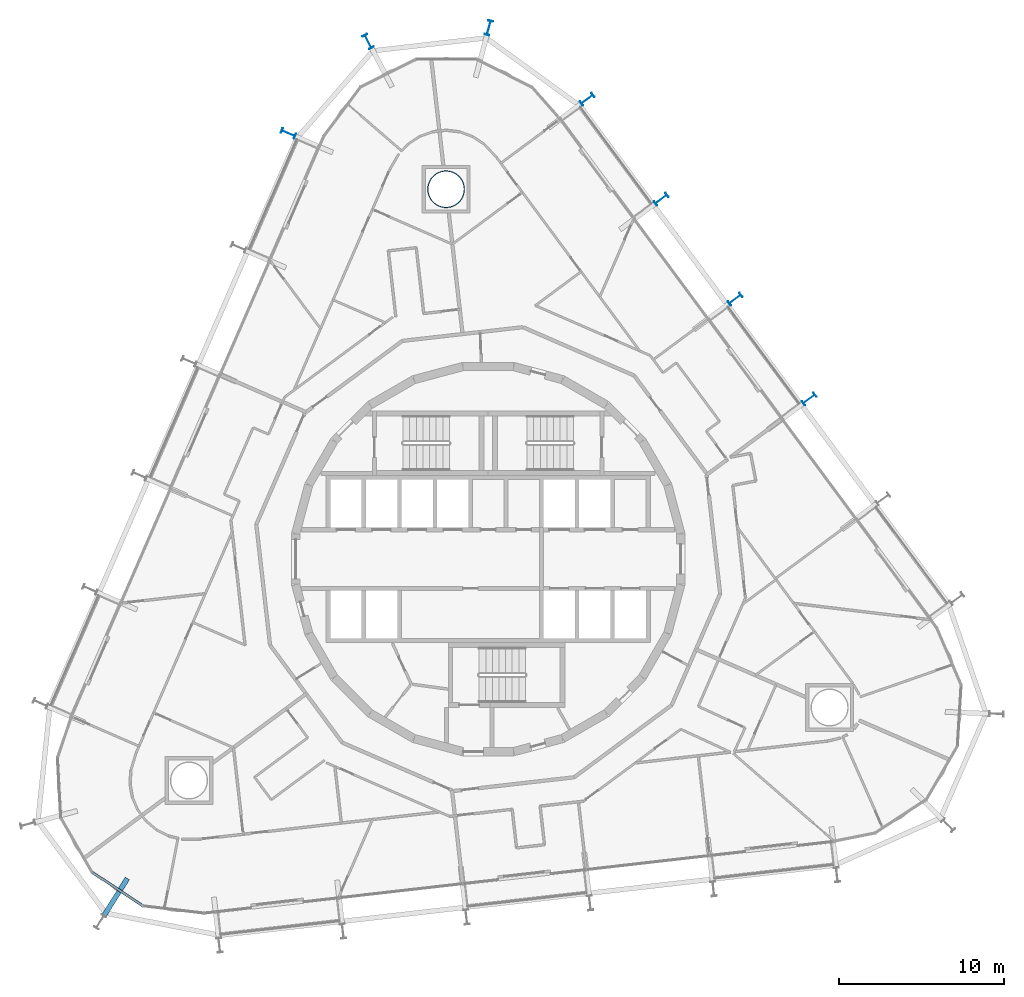
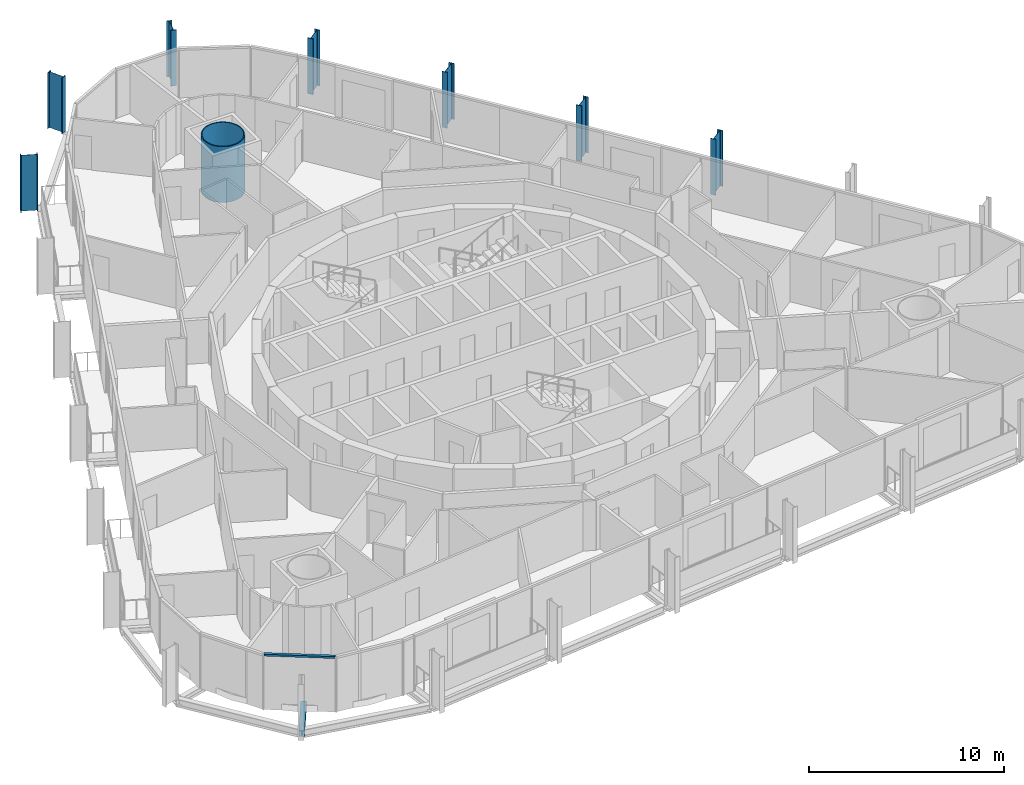
# One storey, part 2 of 24: 8 columns, 1 beam, 1 member, 1 element without a shape of its own.
"""IFC4 building model written with IfcOpenShell, lengths in metres."""

from ifc_helpers import new_model, si_unit, direction, frame, origin, origin_2d, place, context, subcontext, project, spatial, rectangle, hollow_circle, i_section, extrude, material, layer, layer_set, material_profile, profile_set, type_object, element, aggregate, save


model = new_model("IFC4")

# Units and contexts
model_context = context("Model", 3, precision=1e-05, world=origin(), true_north=direction((0.0, 1.0)))
body_context = subcontext(model_context, "Body", "Model", "MODEL_VIEW")
ifc_project = project(units=[si_unit("LENGTHUNIT", "METRE"), si_unit("AREAUNIT", "SQUARE_METRE"), si_unit("VOLUMEUNIT", "CUBIC_METRE"), si_unit("PLANEANGLEUNIT", "RADIAN"), si_unit("MASSUNIT", "GRAM", prefix="KILO")], contexts=[model_context])

# Site, building, storey
site_placement = place(None, origin())
site = spatial("IfcSite", under=ifc_project, at=site_placement, CompositionType="ELEMENT")
building_placement = place(site_placement, origin())
building = spatial("IfcBuilding", under=site, at=building_placement, Name="Spindle Arch Residences", CompositionType="ELEMENT")
storey_placement = place(building_placement, frame((0.0, 0.0, 94.199951171875)))
storey = spatial("IfcBuildingStorey", under=building, at=storey_placement, Name="L22", CompositionType="ELEMENT", Elevation=94.199951171875)

# Columns
ifc_material_1 = material(Name="Steel S460ML, intumescent coating R 240", Category="steel")
ifc_material_profile_1 = material_profile(ifc_material_1, i_section(OverallWidth=0.300048828125, OverallDepth=0.89990234375, WebThickness=0.0185546875, FlangeThickness=0.034912109375, FilletRadius=0.030029296875, at=origin_2d()), Name="HEB 900")
ifc_profile_set_1 = profile_set([ifc_material_profile_1], Name="Steel S460ML, intumescent coating R 240")
column_type_1 = type_object("IfcColumnType", Name="Exoskeleton post HEB 900", PredefinedType="COLUMN", material=ifc_profile_set_1)
for number, where, z_axis, x_axis, name in (
    (1, (19.404541015625, 9.681884765625, -0.3798828125), (0.0, 0.0, 1.0), (0.594822857897, -0.803856807972, 0.0), "Exoskeleton post 8"),
    (2, (14.93212890625, 15.72607421875, -0.3798828125), (0.0, 0.0, 1.0), (0.594822857897, -0.803856807972, 0.0), "Exoskeleton post 9"),
    (3, (10.459716796875, 21.77001953125, -0.3798828125), (0.0, 0.0, 1.0), (0.594822857897, -0.803856807972, 0.0), "Exoskeleton post 10"),
    (4, (5.987548828125, 27.814208984375, -0.3798828125), (0.0, 0.0, 1.0), (0.594822857897, -0.803856807972, 0.0), "Exoskeleton post 11"),
    (5, (0.035888671875, 32.134033203125, -0.3798828125), (0.0, 0.0, 1.0), (0.966704856799, -0.255893962102, 0.0), "Exoskeleton post 12"),
    (6, (-7.263427734375, 31.302490234375, -0.3798828125), (0.0, 0.0, 1.0), (0.884364605378, 0.466796791715, 0.0), "Exoskeleton post 13"),
    (7, (-12.0908203125, 25.75439453125, -0.3798828125), (0.0, 0.0, 1.0), (0.398749038162, 0.917060087761, 0.0), "Exoskeleton post 14"),
):
    element("IfcColumn", number, at=place(storey_placement, frame(where, z_axis=z_axis, x_axis=x_axis)), inside=storey, type_object=column_type_1, Name=name, PredefinedType="COLUMN", context=body_context, shape_type="SweptSolid", body=[
        extrude(i_section(OverallWidth=0.300048828125, OverallDepth=0.89990234375, WebThickness=0.0185546875, FlangeThickness=0.034912109375, FilletRadius=0.030029296875, at=origin_2d()), origin(), (0.0, 0.0, 1.0), 3.5),
    ])
ifc_material_2 = material(Name="Concrete C50/60 filled steel tube S460ML, intumescent coating R 240", Category="concrete")
ifc_material_profile_2 = material_profile(ifc_material_2, hollow_circle(Radius=1.125, WallThickness=0.054931640625, at=origin_2d()), Name="CFT D2250x55")
ifc_profile_set_2 = profile_set([ifc_material_profile_2], Name="Concrete C50/60 filled steel tube S460ML, intumescent coating R 240")
column_type_2 = type_object("IfcColumnType", Name="Mega-column CFT D2250x55", PredefinedType="COLUMN", material=ifc_profile_set_2)
column_placement = place(storey_placement, frame((-2.548828125, 22.370361328125, -0.3798828125), z_axis=(0.0, 0.0, 1.0), x_axis=(1.0, 0.0, 0.0)))
element("IfcColumn", 8, at=column_placement, inside=storey, type_object=column_type_2, Name="Mega-column 2", PredefinedType="COLUMN", context=body_context, shape_type="SweptSolid", body=[
    extrude(hollow_circle(Radius=1.125, WallThickness=0.054931640625, at=origin_2d()), origin(), (0.0, 0.0, 1.0), 3.5),
])

# Curtain wall, member
ifc_material_3 = material(Name="Aluminium bronze unitised frame with tinted glass", Category="aluminium")
ifc_layer = layer(ifc_material_3, 0.159912109375)
ifc_layer_set = layer_set([ifc_layer], Name="CW-D corner wall on the fillet arcs")
curtain_wall_type = type_object("IfcCurtainWallType", Name="CW-D corner wall on the fillet arcs", PredefinedType="NOTDEFINED", material=ifc_layer_set)
curtain_wall_placement = place(storey_placement, origin())
curtain_wall = element("IfcCurtainWall", 9, at=curtain_wall_placement, inside=storey, type_object=curtain_wall_type, Name="CW-D L22 run 5", PredefinedType="NOTDEFINED")
ifc_material_4 = material(Name="Aluminium bronze anodised transom", Category="aluminium")
ifc_material_profile_3 = material_profile(ifc_material_4, rectangle(XDim=0.159912109375, YDim=0.1201171875, at=origin_2d()), Name="TR 120x160")
ifc_profile_set_3 = profile_set([ifc_material_profile_3], Name="Aluminium bronze anodised transom")
member_type = type_object("IfcMemberType", Name="Bronze transom 120x160", PredefinedType="USERDEFINED", material=ifc_profile_set_3)
member_placement = place(storey_placement, frame((-23.967041015625, -18.936767578125, 3.06005859375), z_axis=(0.833899758412, -0.551915929214, 0.0), x_axis=(0.551915929214, 0.833899758412, 0.0)))
member = element("IfcMember", 10, at=member_placement, type_object=member_type, Name="CW-D transom 03", ObjectType="TRANSOM", PredefinedType="USERDEFINED", context=body_context, shape_type="SweptSolid", body=[
    extrude(rectangle(XDim=0.159912109375, YDim=0.1201171875, at=origin_2d()), origin(), (0.0, 0.0, 1.0), 3.666748046875),
])
aggregate(curtain_wall, [member])

# Beam
ifc_material_5 = material(Name="Steel S460ML, intumescent coating R 120", Category="steel")
ifc_material_profile_4 = material_profile(ifc_material_5, i_section(OverallWidth=0.300048828125, OverallDepth=0.389892578125, WebThickness=0.010986328125, FlangeThickness=0.01904296875, FilletRadius=0.027099609375, at=origin_2d()), Name="HEA 400")
ifc_profile_set_4 = profile_set([ifc_material_profile_4], Name="Steel S460ML, intumescent coating R 120")
beam_type = type_object("IfcBeamType", Name="Floor outrigger HEA 400", PredefinedType="BEAM", material=ifc_profile_set_4)
beam_placement = place(storey_placement, frame((-23.2373046875, -21.560546875, -0.574951171875), z_axis=(0.532414919102, 0.846483522532, 0.0), x_axis=(-0.846483522532, 0.532414919102, 0.0)))
element("IfcBeam", 11, at=beam_placement, inside=storey, type_object=beam_type, Name="Floor outrigger 21", PredefinedType="BEAM", context=body_context, shape_type="SweptSolid", body=[
    extrude(i_section(OverallWidth=0.300048828125, OverallDepth=0.389892578125, WebThickness=0.010986328125, FlangeThickness=0.01904296875, FilletRadius=0.027099609375, at=origin_2d()), origin(), (0.0, 0.0, 1.0), 2.64990234375),
])

save(model, "model.ifc")
